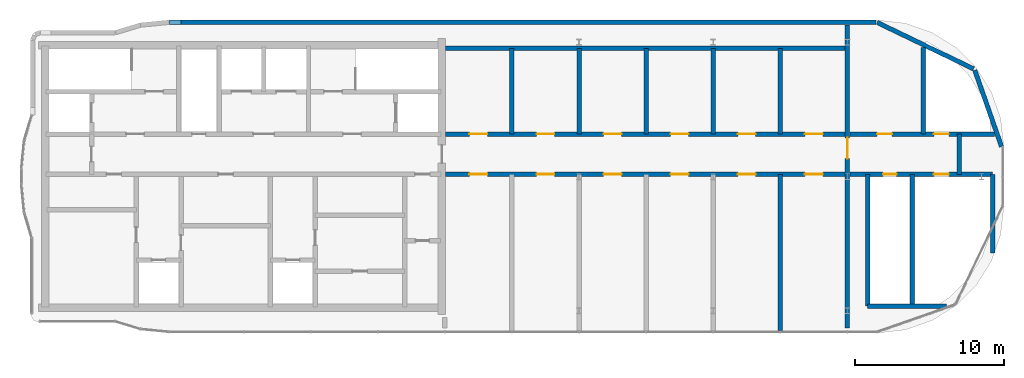
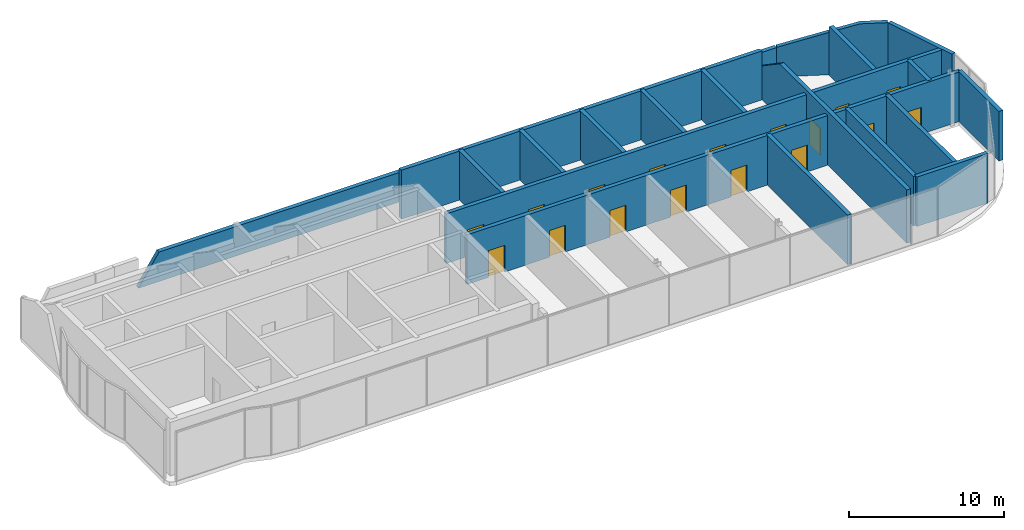
# One storey, part 8 of 9: 21 walls, 17 doors, 17 openings.
"""IFC4 building model written with IfcOpenShell, lengths in metres."""

from ifc_helpers import new_model, si_unit, direction, frame, frame_2d, origin, place, context, subcontext, project, spatial, polyline, rectangle, outline, extrude, material, layer, layer_set, type_object, element, fill, save


model = new_model("IFC4")

# Units and contexts
model_context = context("Model", 3, precision=1e-05, world=origin(), true_north=direction((0.0, 1.0)))
body_context = subcontext(model_context, "Body", "Model", "MODEL_VIEW")
ifc_project = project(units=[si_unit("LENGTHUNIT", "METRE"), si_unit("AREAUNIT", "SQUARE_METRE"), si_unit("VOLUMEUNIT", "CUBIC_METRE"), si_unit("PLANEANGLEUNIT", "RADIAN"), si_unit("MASSUNIT", "GRAM", prefix="KILO")], contexts=[model_context])

# Site, building, storey
site_placement = place(None, origin())
site = spatial("IfcSite", under=ifc_project, at=site_placement, CompositionType="ELEMENT")
building_placement = place(site_placement, origin())
building = spatial("IfcBuilding", under=site, at=building_placement, Name="Ogive Portal Towers", CompositionType="ELEMENT")
storey_placement = place(building_placement, frame((0.0, 0.0, 281.300048828125)))
storey = spatial("IfcBuildingStorey", under=building, at=storey_placement, Name="L68", CompositionType="ELEMENT", Elevation=281.300048828125)

# Walls
ifc_material_1 = material(Name="Limestone cladding on lightweight block wall", Category="masonry")
ifc_layer_1 = layer(ifc_material_1, 0.300048828125)
ifc_layer_set_1 = layer_set([ifc_layer_1], Name="CROWN KNEE WALL 300 STONE")
wall_type_1 = type_object("IfcWallType", Name="CROWN KNEE WALL 300 STONE", PredefinedType="SOLIDWALL", material=ifc_layer_set_1)
wall_1_placement = place(storey_placement, frame((95.841552734375, 32.49853515625, 0.0), z_axis=(0.0, 0.0, 1.0), x_axis=(-0.330290447423, 0.943879346284, 0.0)))
element("IfcWall", 1, at=wall_1_placement, inside=storey, type_object=wall_type_1, Name="A:L68:c10:wall", PredefinedType="SOLIDWALL", context=body_context, shape_type="SweptSolid", body=[
    extrude(outline(polyline([(0.0, 0.0), (5.439453125, 0.0), (5.439453125, 3.89990234375), (3.626220703125, 3.89990234375), (1.813232421875, 3.89990234375), (0.0, 3.89990234375), (0.0, 0.0)])), frame((0.0, 0.14990234375, 0.0), z_axis=(0.0, -1.0, 0.0), x_axis=(1.0, 0.0, 0.0)), (0.0, 0.0, 1.0), 0.300048828125),
])
wall_2_placement = place(storey_placement, frame((93.968505859375, 37.718505859375, 0.0), z_axis=(0.0, 0.0, 1.0), x_axis=(-0.90096968593, 0.433882040461, 0.0)))
element("IfcWall", 2, at=wall_2_placement, inside=storey, type_object=wall_type_1, Name="A:L68:c11:wall", PredefinedType="SOLIDWALL", context=body_context, shape_type="SweptSolid", body=[
    extrude(outline(polyline([(0.0, 0.0), (7.183349609375, 0.0), (7.183349609375, 2.33203125), (5.387451171875, 2.86181640625), (3.591552734375, 3.391845703125), (1.7958984375, 3.89990234375), (0.0, 3.89990234375), (0.0, 0.0)])), frame((0.0, 0.14990234375, 0.0), z_axis=(0.0, -1.0, 0.0), x_axis=(1.0, 0.0, 0.0)), (0.0, 0.0, 1.0), 0.300048828125),
])
wall_3_placement = place(storey_placement, frame((87.431640625, 40.85009765625, 0.0), z_axis=(0.0, 0.0, 1.0), x_axis=(-1.0, 0.0, 0.0)))
element("IfcWall", 3, at=wall_3_placement, inside=storey, type_object=wall_type_1, Name="A:L68:c12:wall", PredefinedType="SOLIDWALL", context=body_context, shape_type="SweptSolid", body=[
    extrude(outline(polyline([(0.0, 0.0), (47.4169921875, 0.0), (47.416748046875, 2.322021484375), (47.416748046875, 0.0), (45.88720703125, 2.322021484375), (44.357666015625, 2.322021484375), (42.828125, 2.322021484375), (41.298583984375, 2.322021484375), (39.768798828125, 2.322021484375), (38.2392578125, 2.322021484375), (36.709716796875, 2.322021484375), (35.18017578125, 2.322021484375), (33.650634765625, 2.322021484375), (32.12109375, 2.322021484375), (30.591552734375, 2.322021484375), (29.06201171875, 2.322021484375), (27.5322265625, 2.322021484375), (26.002685546875, 2.322021484375), (24.47314453125, 2.322021484375), (22.943603515625, 2.322021484375), (21.4140625, 2.322021484375), (19.884521484375, 2.322021484375), (18.35498046875, 2.322021484375), (16.8251953125, 2.322021484375), (15.295654296875, 2.322021484375), (13.76611328125, 2.322021484375), (12.236572265625, 2.322021484375), (10.70703125, 2.322021484375), (9.177490234375, 2.322021484375), (7.64794921875, 2.322021484375), (6.118408203125, 2.322021484375), (4.588623046875, 2.322021484375), (3.05908203125, 2.322021484375), (1.529541015625, 2.322021484375), (0.0, 2.322021484375), (0.0, 0.0)])), frame((0.0, 0.14990234375, 0.0), z_axis=(0.0, -1.0, 0.0), x_axis=(1.0, 0.0, 0.0)), (0.0, 0.0, 1.0), 0.300048828125),
])

# Wall, opening, door
ifc_material_2 = material(Name="Concrete C60/75", Category="concrete")
ifc_layer_2 = layer(ifc_material_2, 0.300048828125)
ifc_layer_set_2 = layer_set([ifc_layer_2], Name="REVEAL WALL 300 C60")
wall_type_2 = type_object("IfcWallType", Name="REVEAL WALL 300 C60", PredefinedType="SHEAR", material=ifc_layer_set_2)
wall_4_placement = place(storey_placement, frame((85.5, 20.35009765625, 0.0), z_axis=(0.0, 0.0, 1.0), x_axis=(0.0, 1.0, 0.0)))
wall_4 = element("IfcWall", 4, at=wall_4_placement, inside=storey, type_object=wall_type_2, Name="Portal reveal wall L68", PredefinedType="SHEAR", context=body_context, shape_type="SweptSolid", body=[
    extrude(outline(polyline([(0.0, 0.0), (20.2998046875, 0.0), (20.300048828125, 1.508056640625), (16.34130859375, 4.199951171875), (0.0, 4.199951171875), (0.0, 0.0)])), frame((0.0, 0.14990234375, 0.0), z_axis=(0.0, -1.0, 0.0), x_axis=(1.0, 0.0, 0.0)), (0.0, 0.0, 1.0), 0.300048828125),
])
opening_1_placement = place(wall_4_placement, frame((11.35009765625, 0.0, 0.0)))
opening_1 = element("IfcOpeningElement", 5, at=opening_1_placement, cuts=wall_4, Name="Opening D34-039", PredefinedType="OPENING", context=body_context, shape_type="SweptSolid", body=[
    extrude(rectangle(XDim=1.39990234375, YDim=2.10009765625, at=frame_2d((0.699951171875, 1.050048828125))), frame((0.0, 0.16015625, 0.0), z_axis=(0.0, -1.0, 0.0), x_axis=(1.0, 0.0, 0.0)), (0.0, 0.0, 1.0), 0.320068359375),
])
ifc_material_3 = material(Name="Steel fire door", Category="steel")
door_type_1 = type_object("IfcDoorType", Name="DT-STAIR-1400x2100-FD90S", OperationType="SINGLE_SWING_LEFT", PredefinedType="DOOR", material=ifc_material_3)
door_1_placement = place(opening_1_placement, origin())
door_1 = element("IfcDoor", 6, at=door_1_placement, inside=storey, type_object=door_type_1, Name="Door D34-039", OperationType="SINGLE_SWING_RIGHT", OverallHeight=2.10009765625, OverallWidth=1.39990234375, PredefinedType="DOOR", context=body_context, shape_type="SweptSolid", body=[
    extrude(rectangle(XDim=1.39990234375, YDim=2.10009765625, at=frame_2d((0.699951171875, 1.050048828125))), frame((0.0, 0.02490234375, 0.0), z_axis=(0.0, -1.0, 0.0), x_axis=(1.0, 0.0, 0.0)), (0.0, 0.0, 1.0), 0.050048828125),
])
fill(opening_1, door_1)

# Wall
ifc_material_4 = material(Name="Gypsum board partition on steel studs", Category="steel")
ifc_layer_3 = layer(ifc_material_4, 0.300048828125)
ifc_layer_set_3 = layer_set([ifc_layer_3], Name="WT-PART-300-EI 120")
wall_type_3 = type_object("IfcWallType", Name="WT-PART-300-EI 120", PredefinedType="PARTITIONING", material=ifc_layer_set_3)
wall_5_placement = place(storey_placement, frame((86.85009765625, 21.800048828125, 0.0), z_axis=(0.0, 0.0, 1.0), x_axis=(1.0, 0.0, 0.0)))
element("IfcWall", 7, at=wall_5_placement, inside=storey, type_object=wall_type_3, Name="Wall L68:w001", PredefinedType="PARTITIONING", context=body_context, shape_type="SweptSolid", body=[
    extrude(rectangle(XDim=5.2998046875, YDim=0.300048828125, at=frame_2d((2.64990234375, 0.0))), origin(), (0.0, 0.0, 1.0), 3.89990234375),
])

# Wall, openings, doors
wall_6_placement = place(storey_placement, frame((58.550048828125, 30.64990234375, 0.0), z_axis=(0.0, 0.0, 1.0), x_axis=(1.0, 0.0, 0.0)))
wall_6 = element("IfcWall", 8, at=wall_6_placement, inside=storey, type_object=wall_type_3, Name="Wall L68:w002", PredefinedType="PARTITIONING", context=body_context, shape_type="SweptSolid", body=[
    extrude(rectangle(XDim=26.780029296875, YDim=0.300048828125, at=frame_2d((13.39013671875, 0.0))), origin(), (0.0, 0.0, 1.0), 3.89990234375),
])
opening_2_placement = place(wall_6_placement, frame((1.60009765625, 0.0, 0.0)))
opening_2 = element("IfcOpeningElement", 9, at=opening_2_placement, cuts=wall_6, Name="Opening D34-025", PredefinedType="OPENING", context=body_context, shape_type="SweptSolid", body=[
    extrude(rectangle(XDim=1.199951171875, YDim=2.10009765625, at=frame_2d((0.60009765625, 1.050048828125))), frame((0.0, 0.16015625, 0.0), z_axis=(0.0, -1.0, 0.0), x_axis=(1.0, 0.0, 0.0)), (0.0, 0.0, 1.0), 0.320068359375),
])
opening_3_placement = place(wall_6_placement, frame((6.10009765625, 0.0, 0.0)))
opening_3 = element("IfcOpeningElement", 10, at=opening_3_placement, cuts=wall_6, Name="Opening D34-026", PredefinedType="OPENING", context=body_context, shape_type="SweptSolid", body=[
    extrude(rectangle(XDim=1.199951171875, YDim=2.10009765625, at=frame_2d((0.60009765625, 1.050048828125))), frame((0.0, 0.16015625, 0.0), z_axis=(0.0, -1.0, 0.0), x_axis=(1.0, 0.0, 0.0)), (0.0, 0.0, 1.0), 0.320068359375),
])
opening_4_placement = place(wall_6_placement, frame((10.60009765625, 0.0, 0.0)))
opening_4 = element("IfcOpeningElement", 11, at=opening_4_placement, cuts=wall_6, Name="Opening D34-029", PredefinedType="OPENING", context=body_context, shape_type="SweptSolid", body=[
    extrude(rectangle(XDim=1.199951171875, YDim=2.10009765625, at=frame_2d((0.60009765625, 1.050048828125))), frame((0.0, 0.16015625, 0.0), z_axis=(0.0, -1.0, 0.0), x_axis=(1.0, 0.0, 0.0)), (0.0, 0.0, 1.0), 0.320068359375),
])
opening_5_placement = place(wall_6_placement, frame((15.10009765625, 0.0, 0.0)))
opening_5 = element("IfcOpeningElement", 12, at=opening_5_placement, cuts=wall_6, Name="Opening D34-030", PredefinedType="OPENING", context=body_context, shape_type="SweptSolid", body=[
    extrude(rectangle(XDim=1.199951171875, YDim=2.10009765625, at=frame_2d((0.60009765625, 1.050048828125))), frame((0.0, 0.16015625, 0.0), z_axis=(0.0, -1.0, 0.0), x_axis=(1.0, 0.0, 0.0)), (0.0, 0.0, 1.0), 0.320068359375),
])
opening_6_placement = place(wall_6_placement, frame((19.60009765625, 0.0, 0.0)))
opening_6 = element("IfcOpeningElement", 13, at=opening_6_placement, cuts=wall_6, Name="Opening D34-033", PredefinedType="OPENING", context=body_context, shape_type="SweptSolid", body=[
    extrude(rectangle(XDim=1.199951171875, YDim=2.10009765625, at=frame_2d((0.60009765625, 1.050048828125))), frame((0.0, 0.16015625, 0.0), z_axis=(0.0, -1.0, 0.0), x_axis=(1.0, 0.0, 0.0)), (0.0, 0.0, 1.0), 0.320068359375),
])
opening_7_placement = place(wall_6_placement, frame((24.10009765625, 0.0, 0.0)))
opening_7 = element("IfcOpeningElement", 14, at=opening_7_placement, cuts=wall_6, Name="Opening D34-034", PredefinedType="OPENING", context=body_context, shape_type="SweptSolid", body=[
    extrude(rectangle(XDim=1.199951171875, YDim=2.10009765625, at=frame_2d((0.60009765625, 1.050048828125))), frame((0.0, 0.16015625, 0.0), z_axis=(0.0, -1.0, 0.0), x_axis=(1.0, 0.0, 0.0)), (0.0, 0.0, 1.0), 0.320068359375),
])
door_type_2 = type_object("IfcDoorType", Name="DT-ENTRY-1200x2100-FD90S", OperationType="SINGLE_SWING_LEFT", PredefinedType="DOOR", material=ifc_material_3)
door_2_placement = place(opening_2_placement, origin())
door_2 = element("IfcDoor", 15, at=door_2_placement, inside=storey, type_object=door_type_2, Name="Door D34-025", OperationType="SINGLE_SWING_RIGHT", OverallHeight=2.10009765625, OverallWidth=1.199951171875, PredefinedType="DOOR", context=body_context, shape_type="SweptSolid", body=[
    extrude(rectangle(XDim=1.199951171875, YDim=2.10009765625, at=frame_2d((0.60009765625, 1.050048828125))), frame((0.0, 0.02490234375, 0.0), z_axis=(0.0, -1.0, 0.0), x_axis=(1.0, 0.0, 0.0)), (0.0, 0.0, 1.0), 0.050048828125),
])
fill(opening_2, door_2)
door_3_placement = place(opening_3_placement, origin())
door_3 = element("IfcDoor", 16, at=door_3_placement, inside=storey, type_object=door_type_2, Name="Door D34-026", OperationType="SINGLE_SWING_LEFT", OverallHeight=2.10009765625, OverallWidth=1.199951171875, PredefinedType="DOOR", context=body_context, shape_type="SweptSolid", body=[
    extrude(rectangle(XDim=1.199951171875, YDim=2.10009765625, at=frame_2d((0.60009765625, 1.050048828125))), frame((0.0, 0.02490234375, 0.0), z_axis=(0.0, -1.0, 0.0), x_axis=(1.0, 0.0, 0.0)), (0.0, 0.0, 1.0), 0.050048828125),
])
fill(opening_3, door_3)
door_4_placement = place(opening_4_placement, origin())
door_4 = element("IfcDoor", 17, at=door_4_placement, inside=storey, type_object=door_type_2, Name="Door D34-029", OperationType="SINGLE_SWING_LEFT", OverallHeight=2.10009765625, OverallWidth=1.199951171875, PredefinedType="DOOR", context=body_context, shape_type="SweptSolid", body=[
    extrude(rectangle(XDim=1.199951171875, YDim=2.10009765625, at=frame_2d((0.60009765625, 1.050048828125))), frame((0.0, 0.02490234375, 0.0), z_axis=(0.0, -1.0, 0.0), x_axis=(1.0, 0.0, 0.0)), (0.0, 0.0, 1.0), 0.050048828125),
])
fill(opening_4, door_4)
door_5_placement = place(opening_5_placement, origin())
door_5 = element("IfcDoor", 18, at=door_5_placement, inside=storey, type_object=door_type_2, Name="Door D34-030", OperationType="SINGLE_SWING_LEFT", OverallHeight=2.10009765625, OverallWidth=1.199951171875, PredefinedType="DOOR", context=body_context, shape_type="SweptSolid", body=[
    extrude(rectangle(XDim=1.199951171875, YDim=2.10009765625, at=frame_2d((0.60009765625, 1.050048828125))), frame((0.0, 0.02490234375, 0.0), z_axis=(0.0, -1.0, 0.0), x_axis=(1.0, 0.0, 0.0)), (0.0, 0.0, 1.0), 0.050048828125),
])
fill(opening_5, door_5)
door_6_placement = place(opening_6_placement, origin())
door_6 = element("IfcDoor", 19, at=door_6_placement, inside=storey, type_object=door_type_2, Name="Door D34-033", OperationType="SINGLE_SWING_LEFT", OverallHeight=2.10009765625, OverallWidth=1.199951171875, PredefinedType="DOOR", context=body_context, shape_type="SweptSolid", body=[
    extrude(rectangle(XDim=1.199951171875, YDim=2.10009765625, at=frame_2d((0.60009765625, 1.050048828125))), frame((0.0, 0.02490234375, 0.0), z_axis=(0.0, -1.0, 0.0), x_axis=(1.0, 0.0, 0.0)), (0.0, 0.0, 1.0), 0.050048828125),
])
fill(opening_6, door_6)
door_7_placement = place(opening_7_placement, origin())
door_7 = element("IfcDoor", 20, at=door_7_placement, inside=storey, type_object=door_type_2, Name="Door D34-034", OperationType="SINGLE_SWING_RIGHT", OverallHeight=2.10009765625, OverallWidth=1.199951171875, PredefinedType="DOOR", context=body_context, shape_type="SweptSolid", body=[
    extrude(rectangle(XDim=1.199951171875, YDim=2.10009765625, at=frame_2d((0.60009765625, 1.050048828125))), frame((0.0, 0.02490234375, 0.0), z_axis=(0.0, -1.0, 0.0), x_axis=(1.0, 0.0, 0.0)), (0.0, 0.0, 1.0), 0.050048828125),
])
fill(opening_7, door_7)

wall_7_placement = place(storey_placement, frame((85.669921875, 30.64990234375, 0.0), z_axis=(0.0, 0.0, 1.0), x_axis=(1.0, 0.0, 0.0)))
wall_7 = element("IfcWall", 21, at=wall_7_placement, inside=storey, type_object=wall_type_3, Name="Wall L68:w003", PredefinedType="PARTITIONING", context=body_context, shape_type="SweptSolid", body=[
    extrude(rectangle(XDim=9.580078125, YDim=0.300048828125, at=frame_2d((4.7900390625, 0.0))), origin(), (0.0, 0.0, 1.0), 3.89990234375),
])
opening_8_placement = place(wall_7_placement, frame((2.22998046875, 0.0, 0.0)))
opening_8 = element("IfcOpeningElement", 22, at=opening_8_placement, cuts=wall_7, Name="Opening D34-035", PredefinedType="OPENING", context=body_context, shape_type="SweptSolid", body=[
    extrude(rectangle(XDim=0.89990234375, YDim=2.10009765625, at=frame_2d((0.449951171875, 1.050048828125))), frame((0.0, 0.16015625, 0.0), z_axis=(0.0, -1.0, 0.0), x_axis=(1.0, 0.0, 0.0)), (0.0, 0.0, 1.0), 0.320068359375),
])
opening_9_placement = place(wall_7_placement, frame((5.6298828125, 0.0, 0.0)))
opening_9 = element("IfcOpeningElement", 23, at=opening_9_placement, cuts=wall_7, Name="Opening D34-038", PredefinedType="OPENING", context=body_context, shape_type="SweptSolid", body=[
    extrude(rectangle(XDim=1.0, YDim=2.10009765625, at=frame_2d((0.5, 1.050048828125))), frame((0.0, 0.16015625, 0.0), z_axis=(0.0, -1.0, 0.0), x_axis=(1.0, 0.0, 0.0)), (0.0, 0.0, 1.0), 0.320068359375),
])
door_type_3 = type_object("IfcDoorType", Name="DT-SERVICE-1000x2100-FD90S", OperationType="SINGLE_SWING_LEFT", PredefinedType="DOOR", material=ifc_material_3)
door_8_placement = place(opening_9_placement, origin())
door_8 = element("IfcDoor", 24, at=door_8_placement, inside=storey, type_object=door_type_3, Name="Riser access door D34-038", OperationType="SINGLE_SWING_LEFT", OverallHeight=2.10009765625, OverallWidth=1.0, PredefinedType="DOOR", context=body_context, shape_type="SweptSolid", body=[
    extrude(rectangle(XDim=1.0, YDim=2.10009765625, at=frame_2d((0.5, 1.050048828125))), frame((0.0, 0.02490234375, 0.0), z_axis=(0.0, -1.0, 0.0), x_axis=(1.0, 0.0, 0.0)), (0.0, 0.0, 1.0), 0.050048828125),
])
fill(opening_9, door_8)
door_type_4 = type_object("IfcDoorType", Name="DT-SERVICE-900x2100-FD90S", OperationType="SINGLE_SWING_LEFT", PredefinedType="DOOR", material=ifc_material_3)
door_9_placement = place(opening_8_placement, origin())
door_9 = element("IfcDoor", 25, at=door_9_placement, inside=storey, type_object=door_type_4, Name="Riser access door D34-035", OperationType="SINGLE_SWING_LEFT", OverallHeight=2.10009765625, OverallWidth=0.89990234375, PredefinedType="DOOR", context=body_context, shape_type="SweptSolid", body=[
    extrude(rectangle(XDim=0.89990234375, YDim=2.10009765625, at=frame_2d((0.449951171875, 1.050048828125))), frame((0.0, 0.02490234375, 0.0), z_axis=(0.0, -1.0, 0.0), x_axis=(1.0, 0.0, 0.0)), (0.0, 0.0, 1.0), 0.050048828125),
])
fill(opening_8, door_9)

wall_8_placement = place(storey_placement, frame((58.550048828125, 33.35009765625, 0.0), z_axis=(0.0, 0.0, 1.0), x_axis=(1.0, 0.0, 0.0)))
wall_8 = element("IfcWall", 26, at=wall_8_placement, inside=storey, type_object=wall_type_3, Name="Wall L68:w004", PredefinedType="PARTITIONING", context=body_context, shape_type="SweptSolid", body=[
    extrude(rectangle(XDim=26.780029296875, YDim=0.300048828125, at=frame_2d((13.39013671875, 0.0))), origin(), (0.0, 0.0, 1.0), 3.89990234375),
])
opening_10_placement = place(wall_8_placement, frame((1.60009765625, 0.0, 0.0)))
opening_10 = element("IfcOpeningElement", 27, at=opening_10_placement, cuts=wall_8, Name="Opening D34-023", PredefinedType="OPENING", context=body_context, shape_type="SweptSolid", body=[
    extrude(rectangle(XDim=1.199951171875, YDim=2.10009765625, at=frame_2d((0.60009765625, 1.050048828125))), frame((0.0, 0.16015625, 0.0), z_axis=(0.0, -1.0, 0.0), x_axis=(1.0, 0.0, 0.0)), (0.0, 0.0, 1.0), 0.320068359375),
])
opening_11_placement = place(wall_8_placement, frame((6.10009765625, 0.0, 0.0)))
opening_11 = element("IfcOpeningElement", 28, at=opening_11_placement, cuts=wall_8, Name="Opening D34-024", PredefinedType="OPENING", context=body_context, shape_type="SweptSolid", body=[
    extrude(rectangle(XDim=1.199951171875, YDim=2.10009765625, at=frame_2d((0.60009765625, 1.050048828125))), frame((0.0, 0.16015625, 0.0), z_axis=(0.0, -1.0, 0.0), x_axis=(1.0, 0.0, 0.0)), (0.0, 0.0, 1.0), 0.320068359375),
])
opening_12_placement = place(wall_8_placement, frame((10.60009765625, 0.0, 0.0)))
opening_12 = element("IfcOpeningElement", 29, at=opening_12_placement, cuts=wall_8, Name="Opening D34-027", PredefinedType="OPENING", context=body_context, shape_type="SweptSolid", body=[
    extrude(rectangle(XDim=1.199951171875, YDim=2.10009765625, at=frame_2d((0.60009765625, 1.050048828125))), frame((0.0, 0.16015625, 0.0), z_axis=(0.0, -1.0, 0.0), x_axis=(1.0, 0.0, 0.0)), (0.0, 0.0, 1.0), 0.320068359375),
])
opening_13_placement = place(wall_8_placement, frame((15.10009765625, 0.0, 0.0)))
opening_13 = element("IfcOpeningElement", 30, at=opening_13_placement, cuts=wall_8, Name="Opening D34-028", PredefinedType="OPENING", context=body_context, shape_type="SweptSolid", body=[
    extrude(rectangle(XDim=1.199951171875, YDim=2.10009765625, at=frame_2d((0.60009765625, 1.050048828125))), frame((0.0, 0.16015625, 0.0), z_axis=(0.0, -1.0, 0.0), x_axis=(1.0, 0.0, 0.0)), (0.0, 0.0, 1.0), 0.320068359375),
])
opening_14_placement = place(wall_8_placement, frame((19.60009765625, 0.0, 0.0)))
opening_14 = element("IfcOpeningElement", 31, at=opening_14_placement, cuts=wall_8, Name="Opening D34-031", PredefinedType="OPENING", context=body_context, shape_type="SweptSolid", body=[
    extrude(rectangle(XDim=1.199951171875, YDim=2.10009765625, at=frame_2d((0.60009765625, 1.050048828125))), frame((0.0, 0.16015625, 0.0), z_axis=(0.0, -1.0, 0.0), x_axis=(1.0, 0.0, 0.0)), (0.0, 0.0, 1.0), 0.320068359375),
])
opening_15_placement = place(wall_8_placement, frame((24.10009765625, 0.0, 0.0)))
opening_15 = element("IfcOpeningElement", 32, at=opening_15_placement, cuts=wall_8, Name="Opening D34-032", PredefinedType="OPENING", context=body_context, shape_type="SweptSolid", body=[
    extrude(rectangle(XDim=1.199951171875, YDim=2.10009765625, at=frame_2d((0.60009765625, 1.050048828125))), frame((0.0, 0.16015625, 0.0), z_axis=(0.0, -1.0, 0.0), x_axis=(1.0, 0.0, 0.0)), (0.0, 0.0, 1.0), 0.320068359375),
])
door_10_placement = place(opening_10_placement, origin())
door_10 = element("IfcDoor", 33, at=door_10_placement, inside=storey, type_object=door_type_2, Name="Door D34-023", OperationType="SINGLE_SWING_LEFT", OverallHeight=2.10009765625, OverallWidth=1.199951171875, PredefinedType="DOOR", context=body_context, shape_type="SweptSolid", body=[
    extrude(rectangle(XDim=1.199951171875, YDim=2.10009765625, at=frame_2d((0.60009765625, 1.050048828125))), frame((0.0, 0.02490234375, 0.0), z_axis=(0.0, -1.0, 0.0), x_axis=(1.0, 0.0, 0.0)), (0.0, 0.0, 1.0), 0.050048828125),
])
fill(opening_10, door_10)
door_11_placement = place(opening_11_placement, origin())
door_11 = element("IfcDoor", 34, at=door_11_placement, inside=storey, type_object=door_type_2, Name="Door D34-024", OperationType="SINGLE_SWING_LEFT", OverallHeight=2.10009765625, OverallWidth=1.199951171875, PredefinedType="DOOR", context=body_context, shape_type="SweptSolid", body=[
    extrude(rectangle(XDim=1.199951171875, YDim=2.10009765625, at=frame_2d((0.60009765625, 1.050048828125))), frame((0.0, 0.02490234375, 0.0), z_axis=(0.0, -1.0, 0.0), x_axis=(1.0, 0.0, 0.0)), (0.0, 0.0, 1.0), 0.050048828125),
])
fill(opening_11, door_11)
door_12_placement = place(opening_12_placement, origin())
door_12 = element("IfcDoor", 35, at=door_12_placement, inside=storey, type_object=door_type_2, Name="Door D34-027", OperationType="SINGLE_SWING_LEFT", OverallHeight=2.10009765625, OverallWidth=1.199951171875, PredefinedType="DOOR", context=body_context, shape_type="SweptSolid", body=[
    extrude(rectangle(XDim=1.199951171875, YDim=2.10009765625, at=frame_2d((0.60009765625, 1.050048828125))), frame((0.0, 0.02490234375, 0.0), z_axis=(0.0, -1.0, 0.0), x_axis=(1.0, 0.0, 0.0)), (0.0, 0.0, 1.0), 0.050048828125),
])
fill(opening_12, door_12)
door_13_placement = place(opening_13_placement, origin())
door_13 = element("IfcDoor", 36, at=door_13_placement, inside=storey, type_object=door_type_2, Name="Door D34-028", OperationType="SINGLE_SWING_RIGHT", OverallHeight=2.10009765625, OverallWidth=1.199951171875, PredefinedType="DOOR", context=body_context, shape_type="SweptSolid", body=[
    extrude(rectangle(XDim=1.199951171875, YDim=2.10009765625, at=frame_2d((0.60009765625, 1.050048828125))), frame((0.0, 0.02490234375, 0.0), z_axis=(0.0, -1.0, 0.0), x_axis=(1.0, 0.0, 0.0)), (0.0, 0.0, 1.0), 0.050048828125),
])
fill(opening_13, door_13)
door_14_placement = place(opening_14_placement, origin())
door_14 = element("IfcDoor", 37, at=door_14_placement, inside=storey, type_object=door_type_2, Name="Door D34-031", OperationType="SINGLE_SWING_RIGHT", OverallHeight=2.10009765625, OverallWidth=1.199951171875, PredefinedType="DOOR", context=body_context, shape_type="SweptSolid", body=[
    extrude(rectangle(XDim=1.199951171875, YDim=2.10009765625, at=frame_2d((0.60009765625, 1.050048828125))), frame((0.0, 0.02490234375, 0.0), z_axis=(0.0, -1.0, 0.0), x_axis=(1.0, 0.0, 0.0)), (0.0, 0.0, 1.0), 0.050048828125),
])
fill(opening_14, door_14)
door_15_placement = place(opening_15_placement, origin())
door_15 = element("IfcDoor", 38, at=door_15_placement, inside=storey, type_object=door_type_2, Name="Door D34-032", OperationType="SINGLE_SWING_LEFT", OverallHeight=2.10009765625, OverallWidth=1.199951171875, PredefinedType="DOOR", context=body_context, shape_type="SweptSolid", body=[
    extrude(rectangle(XDim=1.199951171875, YDim=2.10009765625, at=frame_2d((0.60009765625, 1.050048828125))), frame((0.0, 0.02490234375, 0.0), z_axis=(0.0, -1.0, 0.0), x_axis=(1.0, 0.0, 0.0)), (0.0, 0.0, 1.0), 0.050048828125),
])
fill(opening_15, door_15)

wall_9_placement = place(storey_placement, frame((85.669921875, 33.35009765625, 0.0), z_axis=(0.0, 0.0, 1.0), x_axis=(1.0, 0.0, 0.0)))
wall_9 = element("IfcWall", 39, at=wall_9_placement, inside=storey, type_object=wall_type_3, Name="Wall L68:w005", PredefinedType="PARTITIONING", context=body_context, shape_type="SweptSolid", body=[
    extrude(rectangle(XDim=9.705078125, YDim=0.300048828125, at=frame_2d((4.8525390625, 0.0))), origin(), (0.0, 0.0, 1.0), 3.89990234375),
])
opening_16_placement = place(wall_9_placement, frame((1.830078125, 0.0, 0.0)))
opening_16 = element("IfcOpeningElement", 40, at=opening_16_placement, cuts=wall_9, Name="Opening D34-036", PredefinedType="OPENING", context=body_context, shape_type="SweptSolid", body=[
    extrude(rectangle(XDim=1.0, YDim=2.10009765625, at=frame_2d((0.5, 1.050048828125))), frame((0.0, 0.16015625, 0.0), z_axis=(0.0, -1.0, 0.0), x_axis=(1.0, 0.0, 0.0)), (0.0, 0.0, 1.0), 0.320068359375),
])
opening_17_placement = place(wall_9_placement, frame((5.6298828125, 0.0, 0.0)))
opening_17 = element("IfcOpeningElement", 41, at=opening_17_placement, cuts=wall_9, Name="Opening D34-037", PredefinedType="OPENING", context=body_context, shape_type="SweptSolid", body=[
    extrude(rectangle(XDim=1.0, YDim=2.10009765625, at=frame_2d((0.5, 1.050048828125))), frame((0.0, 0.16015625, 0.0), z_axis=(0.0, -1.0, 0.0), x_axis=(1.0, 0.0, 0.0)), (0.0, 0.0, 1.0), 0.320068359375),
])
door_16_placement = place(opening_16_placement, origin())
door_16 = element("IfcDoor", 42, at=door_16_placement, inside=storey, type_object=door_type_3, Name="Door D34-036", OperationType="SINGLE_SWING_LEFT", OverallHeight=2.10009765625, OverallWidth=1.0, PredefinedType="DOOR", context=body_context, shape_type="SweptSolid", body=[
    extrude(rectangle(XDim=1.0, YDim=2.10009765625, at=frame_2d((0.5, 1.050048828125))), frame((0.0, 0.02490234375, 0.0), z_axis=(0.0, -1.0, 0.0), x_axis=(1.0, 0.0, 0.0)), (0.0, 0.0, 1.0), 0.050048828125),
])
fill(opening_16, door_16)
door_17_placement = place(opening_17_placement, origin())
door_17 = element("IfcDoor", 43, at=door_17_placement, inside=storey, type_object=door_type_3, Name="Riser access door D34-037", OperationType="SINGLE_SWING_RIGHT", OverallHeight=2.10009765625, OverallWidth=1.0, PredefinedType="DOOR", context=body_context, shape_type="SweptSolid", body=[
    extrude(rectangle(XDim=1.0, YDim=2.10009765625, at=frame_2d((0.5, 1.050048828125))), frame((0.0, 0.02490234375, 0.0), z_axis=(0.0, -1.0, 0.0), x_axis=(1.0, 0.0, 0.0)), (0.0, 0.0, 1.0), 0.050048828125),
])
fill(opening_17, door_17)

# Walls
for number, where, z_axis, x_axis, name in (
    (44, (86.85009765625, 21.800048828125, 0.0), (0.0, 0.0, 1.0), (0.0, 1.0, 0.0), "Wall L68:w018"),
    (45, (89.85009765625, 21.800048828125, 0.0), (0.0, 0.0, 1.0), (0.0, 1.0, 0.0), "Wall L68:w019"),
):
    element("IfcWall", number, at=place(storey_placement, frame(where, z_axis=z_axis, x_axis=x_axis)), inside=storey, type_object=wall_type_3, Name=name, PredefinedType="PARTITIONING", context=body_context, shape_type="SweptSolid", body=[
        extrude(rectangle(XDim=8.849853515625, YDim=0.300048828125, at=frame_2d((4.4248046875, 0.0))), origin(), (0.0, 0.0, 1.0), 3.89990234375),
    ])
wall_10_placement = place(storey_placement, frame((93.0, 30.64990234375, 0.0), z_axis=(0.0, 0.0, 1.0), x_axis=(0.0, 1.0, 0.0)))
element("IfcWall", 46, at=wall_10_placement, inside=storey, type_object=wall_type_3, Name="Wall L68:w021", PredefinedType="PARTITIONING", context=body_context, shape_type="SweptSolid", body=[
    extrude(rectangle(XDim=2.7001953125, YDim=0.300048828125, at=frame_2d((1.35009765625, 0.0))), origin(), (0.0, 0.0, 1.0), 3.89990234375),
])
ifc_layer_4 = layer(ifc_material_4, 0.300048828125)
ifc_layer_set_4 = layer_set([ifc_layer_4], Name="WT-PART-300-EI 60")
wall_type_4 = type_object("IfcWallType", Name="WT-PART-300-EI 60", PredefinedType="PARTITIONING", material=ifc_layer_set_4)
wall_11_placement = place(storey_placement, frame((58.550048828125, 39.10009765625, 0.0), z_axis=(0.0, 0.0, 1.0), x_axis=(1.0, 0.0, 0.0)))
element("IfcWall", 47, at=wall_11_placement, inside=storey, type_object=wall_type_4, Name="Wall L68:w006", PredefinedType="PARTITIONING", context=body_context, shape_type="SweptSolid", body=[
    extrude(rectangle(XDim=26.780029296875, YDim=0.300048828125, at=frame_2d((13.39013671875, 0.0))), origin(), (0.0, 0.0, 1.0), 3.849853515625),
])
for number, where, z_axis, x_axis, name in (
    (48, (63.0, 33.35009765625, 0.0), (0.0, 0.0, 1.0), (0.0, 1.0, 0.0), "Wall L68:w009"),
    (49, (67.5, 33.35009765625, 0.0), (0.0, 0.0, 1.0), (0.0, 1.0, 0.0), "Wall L68:w011"),
    (50, (72.0, 33.35009765625, 0.0), (0.0, 0.0, 1.0), (0.0, 1.0, 0.0), "Wall L68:w013"),
    (51, (76.5, 33.35009765625, 0.0), (0.0, 0.0, 1.0), (0.0, 1.0, 0.0), "Wall L68:w015"),
):
    element("IfcWall", number, at=place(storey_placement, frame(where, z_axis=z_axis, x_axis=x_axis)), inside=storey, type_object=wall_type_4, Name=name, PredefinedType="PARTITIONING", context=body_context, shape_type="SweptSolid", body=[
        extrude(rectangle(XDim=5.75, YDim=0.300048828125, at=frame_2d((2.875, 0.0))), origin(), (0.0, 0.0, 1.0), 3.849853515625),
    ])
wall_12_placement = place(storey_placement, frame((81.0, 20.169921875, 0.0), z_axis=(0.0, 0.0, 1.0), x_axis=(0.0, 1.0, 0.0)))
element("IfcWall", 52, at=wall_12_placement, inside=storey, type_object=wall_type_4, Name="Wall L68:w016", PredefinedType="PARTITIONING", context=body_context, shape_type="SweptSolid", body=[
    extrude(rectangle(XDim=10.47998046875, YDim=0.300048828125, at=frame_2d((5.239990234375, 0.0))), origin(), (0.0, 0.0, 1.0), 3.89990234375),
])
wall_13_placement = place(storey_placement, frame((81.0, 33.35009765625, 0.0), z_axis=(0.0, 0.0, 1.0), x_axis=(0.0, 1.0, 0.0)))
element("IfcWall", 53, at=wall_13_placement, inside=storey, type_object=wall_type_4, Name="Wall L68:w017", PredefinedType="PARTITIONING", context=body_context, shape_type="SweptSolid", body=[
    extrude(rectangle(XDim=5.75, YDim=0.300048828125, at=frame_2d((2.875, 0.0))), origin(), (0.0, 0.0, 1.0), 3.849853515625),
])
wall_14_placement = place(storey_placement, frame((90.60009765625, 33.35009765625, 0.0), z_axis=(0.0, 0.0, 1.0), x_axis=(0.0, 1.0, 0.0)))
element("IfcWall", 54, at=wall_14_placement, inside=storey, type_object=wall_type_4, Name="Wall L68:w020", PredefinedType="PARTITIONING", context=body_context, shape_type="SweptSolid", body=[
    extrude(rectangle(XDim=5.803955078125, YDim=0.300048828125, at=frame_2d((2.90185546875, 0.0))), origin(), (0.0, 0.0, 1.0), 3.849853515625),
])
wall_15_placement = place(storey_placement, frame((95.25, 25.386962890625, 0.0), z_axis=(0.0, 0.0, 1.0), x_axis=(0.0, 1.0, 0.0)))
element("IfcWall", 55, at=wall_15_placement, inside=storey, type_object=wall_type_4, Name="Wall L68:w022", PredefinedType="PARTITIONING", context=body_context, shape_type="SweptSolid", body=[
    extrude(rectangle(XDim=5.262939453125, YDim=0.300048828125, at=frame_2d((2.63134765625, 0.0))), origin(), (0.0, 0.0, 1.0), 3.89990234375),
])

save(model, "model.ifc")
